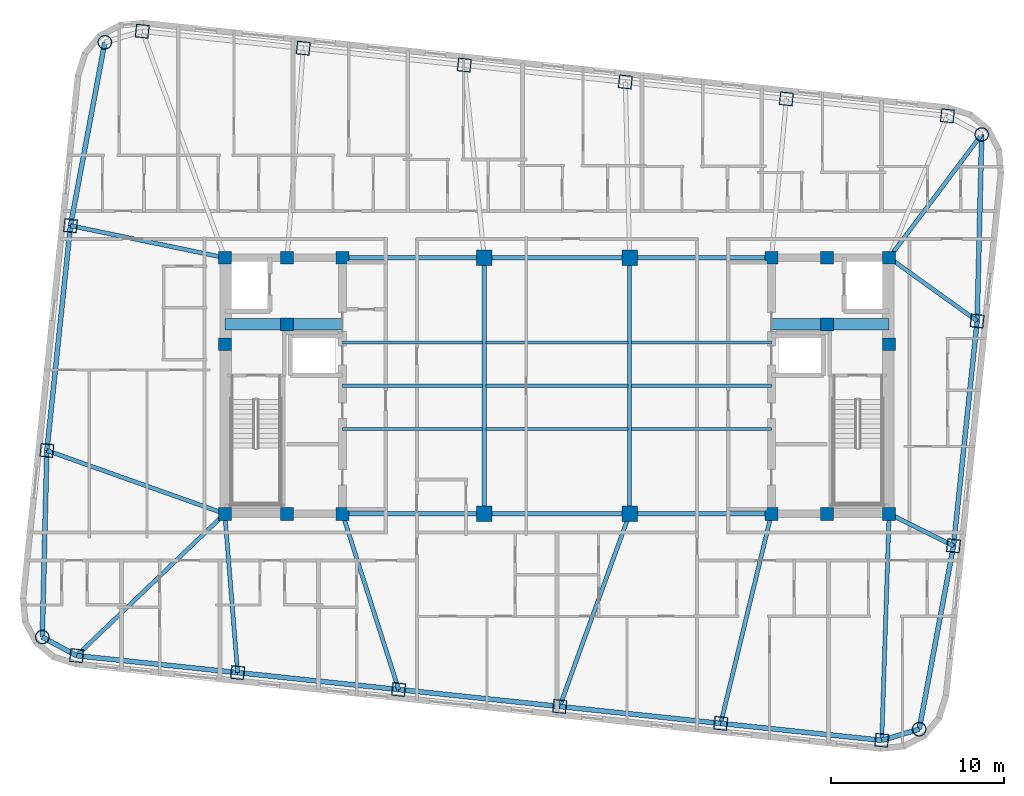
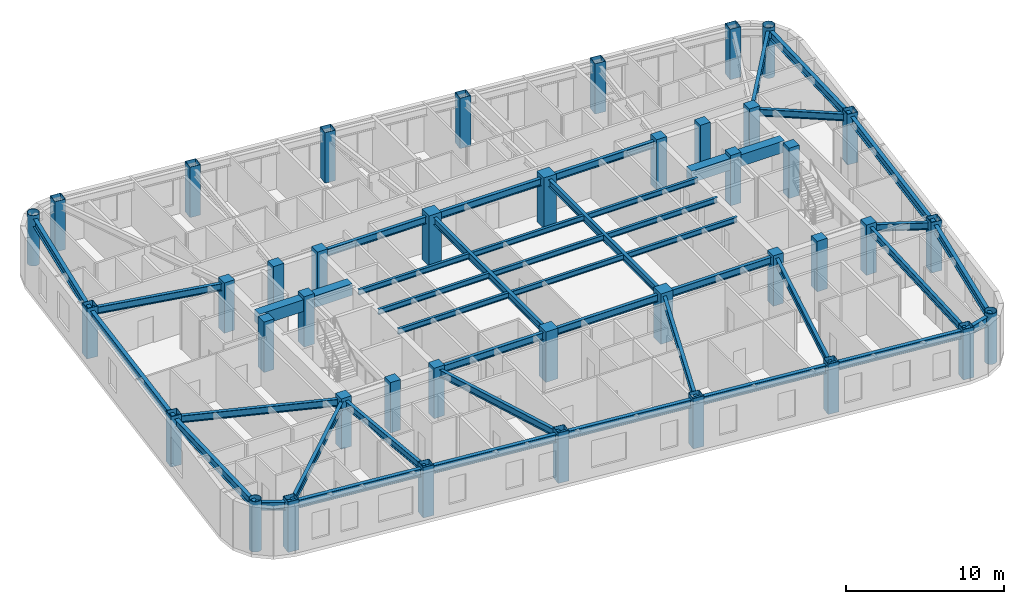
# One storey, part 1 of 11: 43 beams, 40 columns.
"""IFC4 building model written with IfcOpenShell, lengths in metres."""

from ifc_helpers import new_model, si_unit, direction, frame, origin, origin_2d, place, context, subcontext, project, spatial, rectangle, hollow_rectangle, hollow_circle, i_section, extrude, material, material_profile, profile_set, type_object, element, save


model = new_model("IFC4")

# Units and contexts
model_context = context("Model", 3, precision=1e-05, world=origin(), true_north=direction((0.0, 1.0)))
body_context = subcontext(model_context, "Body", "Model", "MODEL_VIEW")
ifc_project = project(units=[si_unit("LENGTHUNIT", "METRE"), si_unit("AREAUNIT", "SQUARE_METRE"), si_unit("VOLUMEUNIT", "CUBIC_METRE"), si_unit("PLANEANGLEUNIT", "RADIAN"), si_unit("MASSUNIT", "GRAM", prefix="KILO")], contexts=[model_context])

# Site, building, storey
site_placement = place(None, origin())
site = spatial("IfcSite", under=ifc_project, at=site_placement, CompositionType="ELEMENT")
building_placement = place(site_placement, origin())
building = spatial("IfcBuilding", under=site, at=building_placement, Name="Voryun Gate Residences", CompositionType="ELEMENT")
storey_placement = place(building_placement, frame((0.0, 0.0, 271.699951171875)))
storey = spatial("IfcBuildingStorey", under=building, at=storey_placement, Name="L67", CompositionType="ELEMENT", Elevation=271.699951171875)

# Columns
ifc_material_1 = material(Name="Concrete C50/60", Category="concrete")
ifc_material_profile_1 = material_profile(ifc_material_1, rectangle(XDim=0.75, YDim=0.75, at=origin_2d()), Name="RC-750x750")
ifc_profile_set_1 = profile_set([ifc_material_profile_1], Name="Concrete C50/60")
column_type_1 = type_object("IfcColumnType", Name="COL_CORE_750", PredefinedType="COLUMN", material=ifc_profile_set_1)
for number, where, z_axis, x_axis, name in (
    (1, (-19.199951171875, -7.39990234375, 0.0), (0.0, 0.0, 1.0), (1.0, 0.0, 0.0), "L67 Core boundary column WC-SW"),
    (2, (-19.199951171875, 2.39990234375, 0.0), (0.0, 0.0, 1.0), (1.0, 0.0, 0.0), "L67 Core boundary column WC-MW"),
    (3, (-19.199951171875, 7.39990234375, 0.0), (0.0, 0.0, 1.0), (1.0, 0.0, 0.0), "L67 Core boundary column WC-NW"),
    (4, (-15.60009765625, -7.39990234375, 0.0), (0.0, 0.0, 1.0), (1.0, 0.0, 0.0), "L67 Core boundary column WC-SM"),
    (5, (-15.60009765625, 7.39990234375, 0.0), (0.0, 0.0, 1.0), (1.0, 0.0, 0.0), "L67 Core boundary column WC-NM"),
    (6, (-12.39990234375, -7.39990234375, 0.0), (0.0, 0.0, 1.0), (1.0, 0.0, 0.0), "L67 Core boundary column WC-SE"),
    (7, (-15.60009765625, 3.550048828125, 0.0), (0.0, 0.0, 1.0), (1.0, 0.0, 0.0), "L67 Core boundary column WC-MM"),
    (8, (-12.39990234375, 7.39990234375, 0.0), (0.0, 0.0, 1.0), (1.0, 0.0, 0.0), "L67 Core boundary column WC-NE"),
    (9, (12.39990234375, -7.39990234375, 0.0), (0.0, 0.0, 1.0), (1.0, 0.0, 0.0), "L67 Core boundary column EC-SW"),
    (10, (15.60009765625, 3.550048828125, 0.0), (0.0, 0.0, 1.0), (1.0, 0.0, 0.0), "L67 Core boundary column EC-MM"),
    (11, (12.39990234375, 7.39990234375, 0.0), (0.0, 0.0, 1.0), (1.0, 0.0, 0.0), "L67 Core boundary column EC-NW"),
    (12, (15.60009765625, -7.39990234375, 0.0), (0.0, 0.0, 1.0), (1.0, 0.0, 0.0), "L67 Core boundary column EC-SM"),
    (13, (15.60009765625, 7.39990234375, 0.0), (0.0, 0.0, 1.0), (1.0, 0.0, 0.0), "L67 Core boundary column EC-NM"),
    (14, (19.199951171875, -7.39990234375, 0.0), (0.0, 0.0, 1.0), (1.0, 0.0, 0.0), "L67 Core boundary column EC-SE"),
    (15, (19.199951171875, 2.39990234375, 0.0), (0.0, 0.0, 1.0), (1.0, 0.0, 0.0), "L67 Core boundary column EC-ME"),
    (16, (19.199951171875, 7.39990234375, 0.0), (0.0, 0.0, 1.0), (1.0, 0.0, 0.0), "L67 Core boundary column EC-NE"),
):
    element("IfcColumn", number, at=place(storey_placement, frame(where, z_axis=z_axis, x_axis=x_axis)), inside=storey, type_object=column_type_1, Name=name, PredefinedType="COLUMN", context=body_context, shape_type="SweptSolid", body=[
        extrude(rectangle(XDim=0.75, YDim=0.75, at=origin_2d()), origin(), (0.0, 0.0, 1.0), 3.900146484375),
    ])
ifc_material_2 = material(Name="Concrete C50/60", Category="concrete")
ifc_material_profile_2 = material_profile(ifc_material_2, rectangle(XDim=0.89990234375, YDim=0.89990234375, at=origin_2d()), Name="RC-900x900")
ifc_profile_set_2 = profile_set([ifc_material_profile_2], Name="Concrete C50/60")
column_type_2 = type_object("IfcColumnType", Name="COL_CORE_900", PredefinedType="COLUMN", material=ifc_profile_set_2)
for number, where, z_axis, x_axis, name in (
    (17, (-4.199951171875, -7.39990234375, 0.0), (0.0, 0.0, 1.0), (1.0, 0.0, 0.0), "L67 Interior spine column SP-WS"),
    (18, (-4.199951171875, 7.39990234375, 0.0), (0.0, 0.0, 1.0), (1.0, 0.0, 0.0), "L67 Interior spine column SP-WN"),
    (19, (4.199951171875, -7.39990234375, 0.0), (0.0, 0.0, 1.0), (1.0, 0.0, 0.0), "L67 Interior spine column SP-ES"),
    (20, (4.199951171875, 7.39990234375, 0.0), (0.0, 0.0, 1.0), (1.0, 0.0, 0.0), "L67 Interior spine column SP-EN"),
):
    element("IfcColumn", number, at=place(storey_placement, frame(where, z_axis=z_axis, x_axis=x_axis)), inside=storey, type_object=column_type_2, Name=name, PredefinedType="COLUMN", context=body_context, shape_type="SweptSolid", body=[
        extrude(rectangle(XDim=0.89990234375, YDim=0.89990234375, at=origin_2d()), origin(), (0.0, 0.0, 1.0), 3.900146484375),
    ])
ifc_material_3 = material(Name="Steel SM355", Category="steel")
ifc_material_profile_3 = material_profile(ifc_material_3, hollow_circle(Radius=0.39990234375, WallThickness=0.028076171875, at=origin_2d()), Name="CHS-800x28")
ifc_profile_set_3 = profile_set([ifc_material_profile_3], Name="Steel SM355")
column_type_3 = type_object("IfcColumnType", Name="COL_CRN_800", PredefinedType="COLUMN", material=ifc_profile_set_3)
for number, where, z_axis, x_axis, name in (
    (21, (20.939453125, -19.855224609375, 0.0), (0.0, 0.0, 1.0), (0.994521895368, -0.104528463268, 0.0), "L67 Exoskeleton column CSE"),
    (22, (24.55322265625, 14.52734375, 0.0), (0.0, 0.0, 1.0), (0.994521895368, -0.104528463268, 0.0), "L67 Exoskeleton column CNE"),
    (23, (-26.139404296875, 19.855224609375, 0.0), (0.0, 0.0, 1.0), (0.994521895368, -0.104528463268, 0.0), "L67 Exoskeleton column CNW"),
    (24, (-29.753173828125, -14.52734375, 0.0), (0.0, 0.0, 1.0), (0.994521895368, -0.104528463268, 0.0), "L67 Exoskeleton column CSW"),
):
    element("IfcColumn", number, at=place(storey_placement, frame(where, z_axis=z_axis, x_axis=x_axis)), inside=storey, type_object=column_type_3, Name=name, PredefinedType="COLUMN", context=body_context, shape_type="SweptSolid", body=[
        extrude(hollow_circle(Radius=0.39990234375, WallThickness=0.028076171875, at=origin_2d()), origin(), (0.0, 0.0, 1.0), 3.900146484375),
    ])
ifc_material_4 = material(Name="Steel SM355", Category="steel")
ifc_material_profile_4 = material_profile(ifc_material_4, hollow_rectangle(XDim=0.75, YDim=0.75, WallThickness=0.02490234375, at=origin_2d()), Name="BOX-750x750x25")
ifc_profile_set_4 = profile_set([ifc_material_profile_4], Name="Steel SM355")
column_type_4 = type_object("IfcColumnType", Name="COL_EXO_B5", PredefinedType="COLUMN", material=ifc_profile_set_4)
for number, where, z_axis, x_axis, name in (
    (25, (-27.76904296875, -15.6044921875, 0.0), (0.0, 0.0, 1.0), (0.994521895368, -0.104528463268, 0.0), "L67 Exoskeleton column S1"),
    (26, (-18.460205078125, -16.5830078125, 0.0), (0.0, 0.0, 1.0), (0.994521895368, -0.104528463268, 0.0), "L67 Exoskeleton column S2"),
    (27, (-9.151611328125, -17.561279296875, 0.0), (0.0, 0.0, 1.0), (0.994521895368, -0.104528463268, 0.0), "L67 Exoskeleton column S3"),
    (28, (0.1572265625, -18.539794921875, 0.0), (0.0, 0.0, 1.0), (0.994521895368, -0.104528463268, 0.0), "L67 Exoskeleton column S4"),
    (29, (9.4658203125, -19.51806640625, 0.0), (0.0, 0.0, 1.0), (0.994521895368, -0.104528463268, 0.0), "L67 Exoskeleton column S5"),
    (30, (18.774658203125, -20.49658203125, 0.0), (0.0, 0.0, 1.0), (0.994521895368, -0.104528463268, 0.0), "L67 Exoskeleton column S6"),
    (31, (22.922607421875, -9.25244140625, 0.0), (0.0, 0.0, 1.0), (0.994521895368, -0.104528463268, 0.0), "L67 Exoskeleton column E1"),
    (32, (24.28857421875, 3.743896484375, 0.0), (0.0, 0.0, 1.0), (0.994521895368, -0.104528463268, 0.0), "L67 Exoskeleton column E2"),
    (33, (22.569091796875, 15.6044921875, 0.0), (0.0, 0.0, 1.0), (0.994521895368, -0.104528463268, 0.0), "L67 Exoskeleton column N1"),
    (34, (13.26025390625, 16.5830078125, 0.0), (0.0, 0.0, 1.0), (0.994521895368, -0.104528463268, 0.0), "L67 Exoskeleton column N2"),
    (35, (3.95166015625, 17.561279296875, 0.0), (0.0, 0.0, 1.0), (0.994521895368, -0.104528463268, 0.0), "L67 Exoskeleton column N3"),
    (36, (-5.357177734375, 18.539794921875, 0.0), (0.0, 0.0, 1.0), (0.994521895368, -0.104528463268, 0.0), "L67 Exoskeleton column N4"),
    (37, (-14.666015625, 19.51806640625, 0.0), (0.0, 0.0, 1.0), (0.994521895368, -0.104528463268, 0.0), "L67 Exoskeleton column N5"),
    (38, (-23.974609375, 20.49658203125, 0.0), (0.0, 0.0, 1.0), (0.994521895368, -0.104528463268, 0.0), "L67 Exoskeleton column N6"),
    (39, (-28.12255859375, 9.25244140625, 0.0), (0.0, 0.0, 1.0), (0.994521895368, -0.104528463268, 0.0), "L67 Exoskeleton column W1"),
    (40, (-29.488525390625, -3.743896484375, 0.0), (0.0, 0.0, 1.0), (0.994521895368, -0.104528463268, 0.0), "L67 Exoskeleton column W2"),
):
    element("IfcColumn", number, at=place(storey_placement, frame(where, z_axis=z_axis, x_axis=x_axis)), inside=storey, type_object=column_type_4, Name=name, PredefinedType="COLUMN", context=body_context, shape_type="SweptSolid", body=[
        extrude(hollow_rectangle(XDim=0.75, YDim=0.75, WallThickness=0.02490234375, at=origin_2d()), origin(), (0.0, 0.0, 1.0), 3.900146484375),
    ])

# Beams
ifc_material_5 = material(Name="Concrete C60/75", Category="concrete")
ifc_material_profile_5 = material_profile(ifc_material_5, rectangle(XDim=0.64990234375, YDim=0.89990234375, at=origin_2d()), Name="RC-650x900")
ifc_profile_set_5 = profile_set([ifc_material_profile_5], Name="Concrete C60/75")
beam_type_1 = type_object("IfcBeamType", Name="BM_COUP_RC900", PredefinedType="LINTEL", material=ifc_profile_set_5)
for number, where, z_axis, x_axis, name in (
    (41, (-19.199951171875, 3.550048828125, 3.199951171875), (1.0, 0.0, 0.0), (0.0, 1.0, 0.0), "BM-L67-WC1"),
    (42, (12.39990234375, 3.550048828125, 3.199951171875), (1.0, 0.0, 0.0), (0.0, 1.0, 0.0), "BM-L67-EC1"),
):
    element("IfcBeam", number, at=place(storey_placement, frame(where, z_axis=z_axis, x_axis=x_axis)), inside=storey, type_object=beam_type_1, Name=name, PredefinedType="LINTEL", context=body_context, shape_type="SweptSolid", body=[
        extrude(rectangle(XDim=0.64990234375, YDim=0.89990234375, at=origin_2d()), origin(), (0.0, 0.0, 1.0), 6.800048828125),
    ])
ifc_material_6 = material(Name="Steel SM355", Category="steel")
ifc_material_profile_6 = material_profile(ifc_material_6, i_section(OverallWidth=0.280029296875, OverallDepth=0.6201171875, WebThickness=0.013916015625, FlangeThickness=0.02197265625, FilletRadius=0.01806640625, at=origin_2d()), Name="H-620x280x14x22")
ifc_profile_set_6 = profile_set([ifc_material_profile_6], Name="Steel SM355")
beam_type_2 = type_object("IfcBeamType", Name="BM_EXO_SPANDREL_H", PredefinedType="SPANDREL", material=ifc_profile_set_6)
beam_1_placement = place(storey_placement, frame((-27.76904296875, -15.6044921875, 3.340087890625), z_axis=(0.994520592114, -0.104540862157, 0.0), x_axis=(0.104540862157, 0.994520592114, 0.0)))
element("IfcBeam", 43, at=beam_1_placement, inside=storey, type_object=beam_type_2, Name="BM-L67-SPAND-01", PredefinedType="SPANDREL", context=body_context, shape_type="SweptSolid", body=[
    extrude(i_section(OverallWidth=0.280029296875, OverallDepth=0.6201171875, WebThickness=0.013916015625, FlangeThickness=0.02197265625, FilletRadius=0.01806640625, at=origin_2d()), origin(), (0.0, 0.0, 1.0), 9.360107421875),
])
beam_2_placement = place(storey_placement, frame((-18.460205078125, -16.5830078125, 3.340087890625), z_axis=(0.994523018663, -0.104517775278, 0.0), x_axis=(0.104517775278, 0.994523018663, 0.0)))
element("IfcBeam", 44, at=beam_2_placement, inside=storey, type_object=beam_type_2, Name="BM-L67-SPAND-02", PredefinedType="SPANDREL", context=body_context, shape_type="SweptSolid", body=[
    extrude(i_section(OverallWidth=0.280029296875, OverallDepth=0.6201171875, WebThickness=0.013916015625, FlangeThickness=0.02197265625, FilletRadius=0.01806640625, at=origin_2d()), origin(), (0.0, 0.0, 1.0), 9.35986328125),
])
beam_3_placement = place(storey_placement, frame((-9.151611328125, -17.561279296875, 3.340087890625), z_axis=(0.994520592114, -0.104540862157, 0.0), x_axis=(0.104540862157, 0.994520592114, 0.0)))
element("IfcBeam", 45, at=beam_3_placement, inside=storey, type_object=beam_type_2, Name="BM-L67-SPAND-03", PredefinedType="SPANDREL", context=body_context, shape_type="SweptSolid", body=[
    extrude(i_section(OverallWidth=0.280029296875, OverallDepth=0.6201171875, WebThickness=0.013916015625, FlangeThickness=0.02197265625, FilletRadius=0.01806640625, at=origin_2d()), origin(), (0.0, 0.0, 1.0), 9.360107421875),
])
beam_4_placement = place(storey_placement, frame((0.1572265625, -18.539794921875, 3.340087890625), z_axis=(0.994523018663, -0.104517775278, 0.0), x_axis=(0.104517775278, 0.994523018663, 0.0)))
element("IfcBeam", 46, at=beam_4_placement, inside=storey, type_object=beam_type_2, Name="BM-L67-SPAND-04", PredefinedType="SPANDREL", context=body_context, shape_type="SweptSolid", body=[
    extrude(i_section(OverallWidth=0.280029296875, OverallDepth=0.6201171875, WebThickness=0.013916015625, FlangeThickness=0.02197265625, FilletRadius=0.01806640625, at=origin_2d()), origin(), (0.0, 0.0, 1.0), 9.35986328125),
])
beam_5_placement = place(storey_placement, frame((9.4658203125, -19.51806640625, 3.340087890625), z_axis=(0.994520592114, -0.104540862157, 0.0), x_axis=(0.104540862157, 0.994520592114, 0.0)))
element("IfcBeam", 47, at=beam_5_placement, inside=storey, type_object=beam_type_2, Name="BM-L67-SPAND-05", PredefinedType="SPANDREL", context=body_context, shape_type="SweptSolid", body=[
    extrude(i_section(OverallWidth=0.280029296875, OverallDepth=0.6201171875, WebThickness=0.013916015625, FlangeThickness=0.02197265625, FilletRadius=0.01806640625, at=origin_2d()), origin(), (0.0, 0.0, 1.0), 9.360107421875),
])
beam_6_placement = place(storey_placement, frame((18.774658203125, -20.49658203125, 3.340087890625), z_axis=(0.958805748412, 0.28406255792, 0.0), x_axis=(-0.28406255792, 0.958805748412, 0.0)))
element("IfcBeam", 48, at=beam_6_placement, inside=storey, type_object=beam_type_2, Name="BM-L67-SPAND-06", PredefinedType="SPANDREL", context=body_context, shape_type="SweptSolid", body=[
    extrude(i_section(OverallWidth=0.280029296875, OverallDepth=0.6201171875, WebThickness=0.013916015625, FlangeThickness=0.02197265625, FilletRadius=0.01806640625, at=origin_2d()), origin(), (0.0, 0.0, 1.0), 2.2578125),
])
beam_7_placement = place(storey_placement, frame((20.939453125, -19.855224609375, 3.340087890625), z_axis=(0.183852585596, 0.982953827384, 0.0), x_axis=(-0.982953827384, 0.183852585596, 0.0)))
element("IfcBeam", 49, at=beam_7_placement, inside=storey, type_object=beam_type_2, Name="BM-L67-SPAND-07", PredefinedType="SPANDREL", context=body_context, shape_type="SweptSolid", body=[
    extrude(i_section(OverallWidth=0.280029296875, OverallDepth=0.6201171875, WebThickness=0.013916015625, FlangeThickness=0.02197265625, FilletRadius=0.01806640625, at=origin_2d()), origin(), (0.0, 0.0, 1.0), 10.78662109375),
])
beam_8_placement = place(storey_placement, frame((22.922607421875, -9.25244140625, 3.340087890625), z_axis=(0.104528209082, 0.994521922084, 0.0), x_axis=(-0.994521922084, 0.104528209082, 0.0)))
element("IfcBeam", 50, at=beam_8_placement, inside=storey, type_object=beam_type_2, Name="BM-L67-SPAND-08", PredefinedType="SPANDREL", context=body_context, shape_type="SweptSolid", body=[
    extrude(i_section(OverallWidth=0.280029296875, OverallDepth=0.6201171875, WebThickness=0.013916015625, FlangeThickness=0.02197265625, FilletRadius=0.01806640625, at=origin_2d()), origin(), (0.0, 0.0, 1.0), 13.06787109375),
])
for number, where, z_axis, x_axis, name in (
    (51, (24.28857421875, 3.743896484375, 3.340087890625), (0.024534711967, 0.999698978647, 0.0), (-0.999698978647, 0.024534711967, 0.0), "BM-L67-SPAND-09"),
    (52, (-26.139404296875, 19.855224609375, 3.340087890625), (-0.183852585596, -0.982953827384, 0.0), (0.982953827384, -0.183852585596, 0.0), "BM-L67-SPAND-17"),
):
    element("IfcBeam", number, at=place(storey_placement, frame(where, z_axis=z_axis, x_axis=x_axis)), inside=storey, type_object=beam_type_2, Name=name, PredefinedType="SPANDREL", context=body_context, shape_type="SweptSolid", body=[
        extrude(i_section(OverallWidth=0.280029296875, OverallDepth=0.6201171875, WebThickness=0.013916015625, FlangeThickness=0.02197265625, FilletRadius=0.01806640625, at=origin_2d()), origin(), (0.0, 0.0, 1.0), 10.78662109375),
    ])
beam_9_placement = place(storey_placement, frame((-28.12255859375, 9.25244140625, 3.340087890625), z_axis=(-0.104528209082, -0.994521922084, 0.0), x_axis=(0.994521922084, -0.104528209082, 0.0)))
element("IfcBeam", 53, at=beam_9_placement, inside=storey, type_object=beam_type_2, Name="BM-L67-SPAND-18", PredefinedType="SPANDREL", context=body_context, shape_type="SweptSolid", body=[
    extrude(i_section(OverallWidth=0.280029296875, OverallDepth=0.6201171875, WebThickness=0.013916015625, FlangeThickness=0.02197265625, FilletRadius=0.01806640625, at=origin_2d()), origin(), (0.0, 0.0, 1.0), 13.06787109375),
])
beam_10_placement = place(storey_placement, frame((-29.488525390625, -3.743896484375, 3.340087890625), z_axis=(-0.024534711967, -0.999698978647, 0.0), x_axis=(0.999698978647, -0.024534711967, 0.0)))
element("IfcBeam", 54, at=beam_10_placement, inside=storey, type_object=beam_type_2, Name="BM-L67-SPAND-19", PredefinedType="SPANDREL", context=body_context, shape_type="SweptSolid", body=[
    extrude(i_section(OverallWidth=0.280029296875, OverallDepth=0.6201171875, WebThickness=0.013916015625, FlangeThickness=0.02197265625, FilletRadius=0.01806640625, at=origin_2d()), origin(), (0.0, 0.0, 1.0), 10.78662109375),
])
beam_11_placement = place(storey_placement, frame((-29.753173828125, -14.52734375, 3.340087890625), z_axis=(0.878844363117, -0.477108567746, 0.0), x_axis=(0.477108567746, 0.878844363117, 0.0)))
element("IfcBeam", 55, at=beam_11_placement, inside=storey, type_object=beam_type_2, Name="BM-L67-SPAND-20", PredefinedType="SPANDREL", context=body_context, shape_type="SweptSolid", body=[
    extrude(i_section(OverallWidth=0.280029296875, OverallDepth=0.6201171875, WebThickness=0.013916015625, FlangeThickness=0.02197265625, FilletRadius=0.01806640625, at=origin_2d()), origin(), (0.0, 0.0, 1.0), 2.257568359375),
])
ifc_material_7 = material(Name="Steel SM355", Category="steel")
ifc_material_profile_7 = material_profile(ifc_material_7, i_section(OverallWidth=0.239990234375, OverallDepth=0.550048828125, WebThickness=0.011962890625, FlangeThickness=0.02001953125, FilletRadius=0.01806640625, at=origin_2d()), Name="H-550x240x12x20")
ifc_profile_set_7 = profile_set([ifc_material_profile_7], Name="Steel SM355")
beam_type_3 = type_object("IfcBeamType", Name="BM_GIRD_550", PredefinedType="USERDEFINED", material=ifc_profile_set_7)
beam_12_placement = place(storey_placement, frame((-12.39990234375, -7.39990234375, 3.375), z_axis=(1.0, 0.0, 0.0), x_axis=(0.0, 1.0, 0.0)))
element("IfcBeam", 56, at=beam_12_placement, inside=storey, type_object=beam_type_3, Name="BM-L67-SPG1-S", ObjectType="GIRDER", PredefinedType="USERDEFINED", context=body_context, shape_type="SweptSolid", body=[
    extrude(i_section(OverallWidth=0.239990234375, OverallDepth=0.550048828125, WebThickness=0.011962890625, FlangeThickness=0.02001953125, FilletRadius=0.01806640625, at=origin_2d()), origin(), (0.0, 0.0, 1.0), 8.199951171875),
])
beam_13_placement = place(storey_placement, frame((-4.199951171875, -7.39990234375, 3.375), z_axis=(1.0, 0.0, 0.0), x_axis=(0.0, 1.0, 0.0)))
element("IfcBeam", 57, at=beam_13_placement, inside=storey, type_object=beam_type_3, Name="BM-L67-SPG2-S", ObjectType="GIRDER", PredefinedType="USERDEFINED", context=body_context, shape_type="SweptSolid", body=[
    extrude(i_section(OverallWidth=0.239990234375, OverallDepth=0.550048828125, WebThickness=0.011962890625, FlangeThickness=0.02001953125, FilletRadius=0.01806640625, at=origin_2d()), origin(), (0.0, 0.0, 1.0), 8.39990234375),
])
for number, where, z_axis, x_axis, name in (
    (58, (4.199951171875, -7.39990234375, 3.375), (1.0, 0.0, 0.0), (0.0, 1.0, 0.0), "BM-L67-SPG3-S"),
    (59, (-12.39990234375, 7.39990234375, 3.375), (1.0, 0.0, 0.0), (0.0, 1.0, 0.0), "BM-L67-SPG1-N"),
):
    element("IfcBeam", number, at=place(storey_placement, frame(where, z_axis=z_axis, x_axis=x_axis)), inside=storey, type_object=beam_type_3, Name=name, ObjectType="GIRDER", PredefinedType="USERDEFINED", context=body_context, shape_type="SweptSolid", body=[
        extrude(i_section(OverallWidth=0.239990234375, OverallDepth=0.550048828125, WebThickness=0.011962890625, FlangeThickness=0.02001953125, FilletRadius=0.01806640625, at=origin_2d()), origin(), (0.0, 0.0, 1.0), 8.199951171875),
    ])
beam_14_placement = place(storey_placement, frame((-4.199951171875, 7.39990234375, 3.375), z_axis=(1.0, 0.0, 0.0), x_axis=(0.0, 1.0, 0.0)))
element("IfcBeam", 60, at=beam_14_placement, inside=storey, type_object=beam_type_3, Name="BM-L67-SPG2-N", ObjectType="GIRDER", PredefinedType="USERDEFINED", context=body_context, shape_type="SweptSolid", body=[
    extrude(i_section(OverallWidth=0.239990234375, OverallDepth=0.550048828125, WebThickness=0.011962890625, FlangeThickness=0.02001953125, FilletRadius=0.01806640625, at=origin_2d()), origin(), (0.0, 0.0, 1.0), 8.39990234375),
])
beam_15_placement = place(storey_placement, frame((4.199951171875, 7.39990234375, 3.375), z_axis=(1.0, 0.0, 0.0), x_axis=(0.0, 1.0, 0.0)))
element("IfcBeam", 61, at=beam_15_placement, inside=storey, type_object=beam_type_3, Name="BM-L67-SPG3-N", ObjectType="GIRDER", PredefinedType="USERDEFINED", context=body_context, shape_type="SweptSolid", body=[
    extrude(i_section(OverallWidth=0.239990234375, OverallDepth=0.550048828125, WebThickness=0.011962890625, FlangeThickness=0.02001953125, FilletRadius=0.01806640625, at=origin_2d()), origin(), (0.0, 0.0, 1.0), 8.199951171875),
])
for number, where, z_axis, x_axis, name in (
    (62, (-4.199951171875, -7.39990234375, 3.375), (0.0, 1.0, 0.0), (-1.0, 0.0, 0.0), "BM-L67-SPX-W"),
    (63, (4.199951171875, -7.39990234375, 3.375), (0.0, 1.0, 0.0), (-1.0, 0.0, 0.0), "BM-L67-SPX-E"),
):
    element("IfcBeam", number, at=place(storey_placement, frame(where, z_axis=z_axis, x_axis=x_axis)), inside=storey, type_object=beam_type_3, Name=name, ObjectType="GIRDER", PredefinedType="USERDEFINED", context=body_context, shape_type="SweptSolid", body=[
        extrude(i_section(OverallWidth=0.239990234375, OverallDepth=0.550048828125, WebThickness=0.011962890625, FlangeThickness=0.02001953125, FilletRadius=0.01806640625, at=origin_2d()), origin(), (0.0, 0.0, 1.0), 14.7998046875),
    ])
beam_16_placement = place(storey_placement, frame((-19.199951171875, -7.39990234375, 3.375), z_axis=(-0.722302104769, -0.691577666966, 0.0), x_axis=(0.691577666966, -0.722302104769, 0.0)))
element("IfcBeam", 64, at=beam_16_placement, inside=storey, type_object=beam_type_3, Name="BM-L67-RAD-S1", ObjectType="GIRDER", PredefinedType="USERDEFINED", context=body_context, shape_type="SweptSolid", body=[
    extrude(i_section(OverallWidth=0.239990234375, OverallDepth=0.550048828125, WebThickness=0.011962890625, FlangeThickness=0.02001953125, FilletRadius=0.01806640625, at=origin_2d()), origin(), (0.0, 0.0, 1.0), 11.863525390625),
])
beam_17_placement = place(storey_placement, frame((-19.199951171875, -7.39990234375, 3.375), z_axis=(0.080295011504, -0.996771142804, 0.0), x_axis=(0.996771142804, 0.080295011504, 0.0)))
element("IfcBeam", 65, at=beam_17_placement, inside=storey, type_object=beam_type_3, Name="BM-L67-RAD-S2", ObjectType="GIRDER", PredefinedType="USERDEFINED", context=body_context, shape_type="SweptSolid", body=[
    extrude(i_section(OverallWidth=0.239990234375, OverallDepth=0.550048828125, WebThickness=0.011962890625, FlangeThickness=0.02001953125, FilletRadius=0.01806640625, at=origin_2d()), origin(), (0.0, 0.0, 1.0), 9.212890625),
])
beam_18_placement = place(storey_placement, frame((-12.39990234375, -7.39990234375, 3.375), z_axis=(0.30449089095, -0.952515247819, 0.0), x_axis=(0.952515247819, 0.30449089095, 0.0)))
element("IfcBeam", 66, at=beam_18_placement, inside=storey, type_object=beam_type_3, Name="BM-L67-RAD-S3", ObjectType="GIRDER", PredefinedType="USERDEFINED", context=body_context, shape_type="SweptSolid", body=[
    extrude(i_section(OverallWidth=0.239990234375, OverallDepth=0.550048828125, WebThickness=0.011962890625, FlangeThickness=0.02001953125, FilletRadius=0.01806640625, at=origin_2d()), origin(), (0.0, 0.0, 1.0), 10.66796875),
])
beam_19_placement = place(storey_placement, frame((4.199951171875, -7.39990234375, 3.375), z_axis=(-0.341135931896, -0.940013976476, 0.0), x_axis=(0.940013976476, -0.341135931896, 0.0)))
element("IfcBeam", 67, at=beam_19_placement, inside=storey, type_object=beam_type_3, Name="BM-L67-RAD-S4", ObjectType="GIRDER", PredefinedType="USERDEFINED", context=body_context, shape_type="SweptSolid", body=[
    extrude(i_section(OverallWidth=0.239990234375, OverallDepth=0.550048828125, WebThickness=0.011962890625, FlangeThickness=0.02001953125, FilletRadius=0.01806640625, at=origin_2d()), origin(), (0.0, 0.0, 1.0), 11.850830078125),
])
beam_20_placement = place(storey_placement, frame((12.39990234375, -7.39990234375, 3.375), z_axis=(-0.235323166357, -0.971917181336, 0.0), x_axis=(0.971917181336, -0.235323166357, 0.0)))
element("IfcBeam", 68, at=beam_20_placement, inside=storey, type_object=beam_type_3, Name="BM-L67-RAD-S5", ObjectType="GIRDER", PredefinedType="USERDEFINED", context=body_context, shape_type="SweptSolid", body=[
    extrude(i_section(OverallWidth=0.239990234375, OverallDepth=0.550048828125, WebThickness=0.011962890625, FlangeThickness=0.02001953125, FilletRadius=0.01806640625, at=origin_2d()), origin(), (0.0, 0.0, 1.0), 12.46826171875),
])
beam_21_placement = place(storey_placement, frame((19.199951171875, -7.39990234375, 3.375), z_axis=(-0.032456234446, -0.999473157641, 0.0), x_axis=(0.999473157641, -0.032456234446, 0.0)))
element("IfcBeam", 69, at=beam_21_placement, inside=storey, type_object=beam_type_3, Name="BM-L67-RAD-S6", ObjectType="GIRDER", PredefinedType="USERDEFINED", context=body_context, shape_type="SweptSolid", body=[
    extrude(i_section(OverallWidth=0.239990234375, OverallDepth=0.550048828125, WebThickness=0.011962890625, FlangeThickness=0.02001953125, FilletRadius=0.01806640625, at=origin_2d()), origin(), (0.0, 0.0, 1.0), 13.103515625),
])
beam_22_placement = place(storey_placement, frame((19.199951171875, -7.39990234375, 3.375), z_axis=(0.895271074172, -0.445521833081, 0.0), x_axis=(0.445521833081, 0.895271074172, 0.0)))
element("IfcBeam", 70, at=beam_22_placement, inside=storey, type_object=beam_type_3, Name="BM-L67-RAD-E1", ObjectType="GIRDER", PredefinedType="USERDEFINED", context=body_context, shape_type="SweptSolid", body=[
    extrude(i_section(OverallWidth=0.239990234375, OverallDepth=0.550048828125, WebThickness=0.011962890625, FlangeThickness=0.02001953125, FilletRadius=0.01806640625, at=origin_2d()), origin(), (0.0, 0.0, 1.0), 4.158203125),
])
beam_23_placement = place(storey_placement, frame((19.199951171875, 7.39990234375, 3.375), z_axis=(0.81212442094, -0.583484297058, 0.0), x_axis=(0.583484297058, 0.81212442094, 0.0)))
element("IfcBeam", 71, at=beam_23_placement, inside=storey, type_object=beam_type_3, Name="BM-L67-RAD-E2", ObjectType="GIRDER", PredefinedType="USERDEFINED", context=body_context, shape_type="SweptSolid", body=[
    extrude(i_section(OverallWidth=0.239990234375, OverallDepth=0.550048828125, WebThickness=0.011962890625, FlangeThickness=0.02001953125, FilletRadius=0.01806640625, at=origin_2d()), origin(), (0.0, 0.0, 1.0), 6.265869140625),
])
beam_24_placement = place(storey_placement, frame((19.199951171875, 7.39990234375, 3.375), z_axis=(0.60055201327, 0.799585692316, 0.0), x_axis=(-0.799585692316, 0.60055201327, 0.0)))
element("IfcBeam", 72, at=beam_24_placement, inside=storey, type_object=beam_type_3, Name="BM-L67-RAD-CNE", ObjectType="GIRDER", PredefinedType="USERDEFINED", context=body_context, shape_type="SweptSolid", body=[
    extrude(i_section(OverallWidth=0.239990234375, OverallDepth=0.550048828125, WebThickness=0.011962890625, FlangeThickness=0.02001953125, FilletRadius=0.01806640625, at=origin_2d()), origin(), (0.0, 0.0, 1.0), 8.913818359375),
])
beam_25_placement = place(storey_placement, frame((-19.199951171875, 7.39990234375, 3.375), z_axis=(-0.979119049711, 0.203287693907, 0.0), x_axis=(-0.203287693907, -0.979119049711, 0.0)))
element("IfcBeam", 73, at=beam_25_placement, inside=storey, type_object=beam_type_3, Name="BM-L67-RAD-W1", ObjectType="GIRDER", PredefinedType="USERDEFINED", context=body_context, shape_type="SweptSolid", body=[
    extrude(i_section(OverallWidth=0.239990234375, OverallDepth=0.550048828125, WebThickness=0.011962890625, FlangeThickness=0.02001953125, FilletRadius=0.01806640625, at=origin_2d()), origin(), (0.0, 0.0, 1.0), 9.11279296875),
])
beam_26_placement = place(storey_placement, frame((-19.199951171875, -7.39990234375, 3.375), z_axis=(-0.942276939669, 0.334834539688, 0.0), x_axis=(-0.334834539688, -0.942276939669, 0.0)))
element("IfcBeam", 74, at=beam_26_placement, inside=storey, type_object=beam_type_3, Name="BM-L67-RAD-W2", ObjectType="GIRDER", PredefinedType="USERDEFINED", context=body_context, shape_type="SweptSolid", body=[
    extrude(i_section(OverallWidth=0.239990234375, OverallDepth=0.550048828125, WebThickness=0.011962890625, FlangeThickness=0.02001953125, FilletRadius=0.01806640625, at=origin_2d()), origin(), (0.0, 0.0, 1.0), 10.9189453125),
])
ifc_material_8 = material(Name="Steel SM355", Category="steel")
ifc_material_profile_8 = material_profile(ifc_material_8, i_section(OverallWidth=0.18994140625, OverallDepth=0.419921875, WebThickness=0.009033203125, FlangeThickness=0.01611328125, FilletRadius=0.01806640625, at=origin_2d()), Name="H-420x190x9x16")
ifc_profile_set_8 = profile_set([ifc_material_profile_8], Name="Steel SM355")
beam_type_4 = type_object("IfcBeamType", Name="BM_SEC_420", PredefinedType="BEAM", material=ifc_profile_set_8)
beam_27_placement = place(storey_placement, frame((-12.39990234375, -2.5, 3.43994140625), z_axis=(1.0, 0.0, 0.0), x_axis=(0.0, 1.0, 0.0)))
element("IfcBeam", 75, at=beam_27_placement, inside=storey, type_object=beam_type_4, Name="BM-L67-SEC-CS1", PredefinedType="BEAM", context=body_context, shape_type="SweptSolid", body=[
    extrude(i_section(OverallWidth=0.18994140625, OverallDepth=0.419921875, WebThickness=0.009033203125, FlangeThickness=0.01611328125, FilletRadius=0.01806640625, at=origin_2d()), origin(), (0.0, 0.0, 1.0), 8.099853515625),
])
beam_28_placement = place(storey_placement, frame((-4.10009765625, -2.5, 3.43994140625), z_axis=(1.0, 0.0, 0.0), x_axis=(0.0, 1.0, 0.0)))
element("IfcBeam", 76, at=beam_28_placement, inside=storey, type_object=beam_type_4, Name="BM-L67-SEC-CS2", PredefinedType="BEAM", context=body_context, shape_type="SweptSolid", body=[
    extrude(i_section(OverallWidth=0.18994140625, OverallDepth=0.419921875, WebThickness=0.009033203125, FlangeThickness=0.01611328125, FilletRadius=0.01806640625, at=origin_2d()), origin(), (0.0, 0.0, 1.0), 8.2001953125),
])
for number, where, z_axis, x_axis, name in (
    (77, (4.300048828125, -2.5, 3.43994140625), (1.0, 0.0, 0.0), (0.0, 1.0, 0.0), "BM-L67-SEC-CS3"),
    (78, (-12.39990234375, 0.0, 3.43994140625), (1.0, 0.0, 0.0), (0.0, 1.0, 0.0), "BM-L67-SEC-CM1"),
):
    element("IfcBeam", number, at=place(storey_placement, frame(where, z_axis=z_axis, x_axis=x_axis)), inside=storey, type_object=beam_type_4, Name=name, PredefinedType="BEAM", context=body_context, shape_type="SweptSolid", body=[
        extrude(i_section(OverallWidth=0.18994140625, OverallDepth=0.419921875, WebThickness=0.009033203125, FlangeThickness=0.01611328125, FilletRadius=0.01806640625, at=origin_2d()), origin(), (0.0, 0.0, 1.0), 8.099853515625),
    ])
beam_29_placement = place(storey_placement, frame((-4.10009765625, 0.0, 3.43994140625), z_axis=(1.0, 0.0, 0.0), x_axis=(0.0, 1.0, 0.0)))
element("IfcBeam", 79, at=beam_29_placement, inside=storey, type_object=beam_type_4, Name="BM-L67-SEC-CM2", PredefinedType="BEAM", context=body_context, shape_type="SweptSolid", body=[
    extrude(i_section(OverallWidth=0.18994140625, OverallDepth=0.419921875, WebThickness=0.009033203125, FlangeThickness=0.01611328125, FilletRadius=0.01806640625, at=origin_2d()), origin(), (0.0, 0.0, 1.0), 8.2001953125),
])
for number, where, z_axis, x_axis, name in (
    (80, (4.300048828125, 0.0, 3.43994140625), (1.0, 0.0, 0.0), (0.0, 1.0, 0.0), "BM-L67-SEC-CM3"),
    (81, (-12.39990234375, 2.5, 3.43994140625), (1.0, 0.0, 0.0), (0.0, 1.0, 0.0), "BM-L67-SEC-CN1"),
):
    element("IfcBeam", number, at=place(storey_placement, frame(where, z_axis=z_axis, x_axis=x_axis)), inside=storey, type_object=beam_type_4, Name=name, PredefinedType="BEAM", context=body_context, shape_type="SweptSolid", body=[
        extrude(i_section(OverallWidth=0.18994140625, OverallDepth=0.419921875, WebThickness=0.009033203125, FlangeThickness=0.01611328125, FilletRadius=0.01806640625, at=origin_2d()), origin(), (0.0, 0.0, 1.0), 8.099853515625),
    ])
beam_30_placement = place(storey_placement, frame((-4.10009765625, 2.5, 3.43994140625), z_axis=(1.0, 0.0, 0.0), x_axis=(0.0, 1.0, 0.0)))
element("IfcBeam", 82, at=beam_30_placement, inside=storey, type_object=beam_type_4, Name="BM-L67-SEC-CN2", PredefinedType="BEAM", context=body_context, shape_type="SweptSolid", body=[
    extrude(i_section(OverallWidth=0.18994140625, OverallDepth=0.419921875, WebThickness=0.009033203125, FlangeThickness=0.01611328125, FilletRadius=0.01806640625, at=origin_2d()), origin(), (0.0, 0.0, 1.0), 8.2001953125),
])
beam_31_placement = place(storey_placement, frame((4.300048828125, 2.5, 3.43994140625), z_axis=(1.0, 0.0, 0.0), x_axis=(0.0, 1.0, 0.0)))
element("IfcBeam", 83, at=beam_31_placement, inside=storey, type_object=beam_type_4, Name="BM-L67-SEC-CN3", PredefinedType="BEAM", context=body_context, shape_type="SweptSolid", body=[
    extrude(i_section(OverallWidth=0.18994140625, OverallDepth=0.419921875, WebThickness=0.009033203125, FlangeThickness=0.01611328125, FilletRadius=0.01806640625, at=origin_2d()), origin(), (0.0, 0.0, 1.0), 8.099853515625),
])

save(model, "model.ifc")
